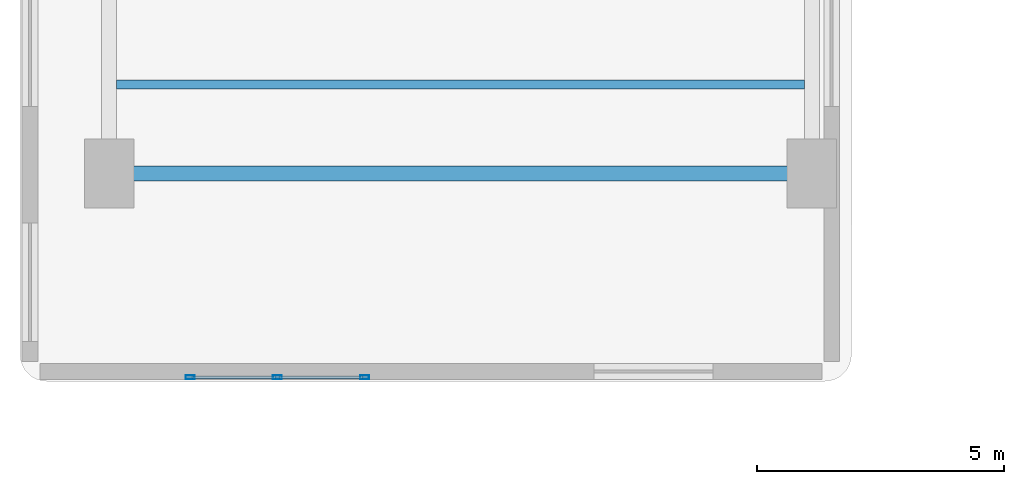
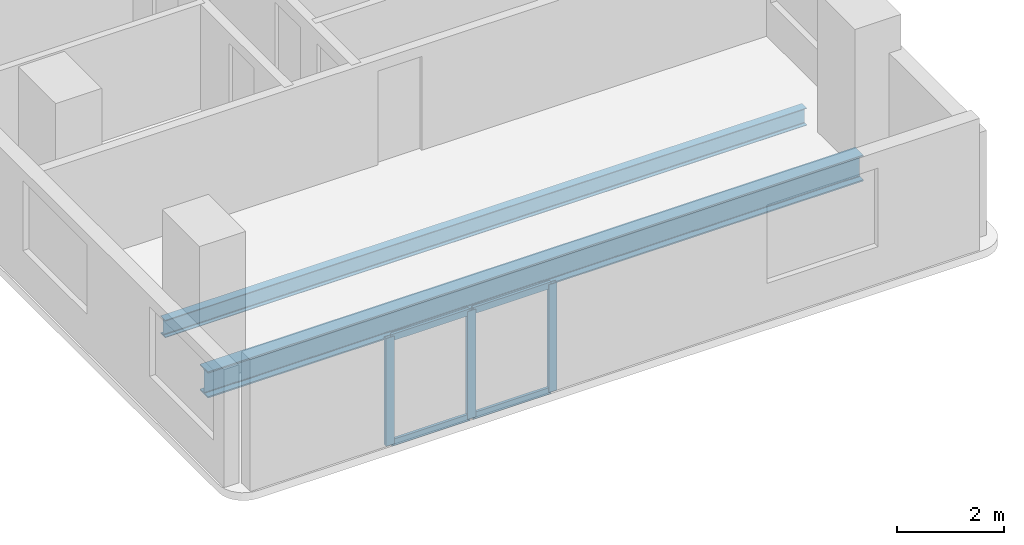
# One storey, part 2 of 14: 7 members, 2 beams, 1 element without a shape of its own.
"""IFC4 building model written with IfcOpenShell, lengths in metres."""

from ifc_helpers import new_model, si_unit, direction, frame, origin, origin_2d, place, context, subcontext, project, spatial, hollow_rectangle, i_section, extrude, material, material_profile, profile_set, type_object, element, aggregate, save


model = new_model("IFC4")

# Units and contexts
model_context = context("Model", 3, precision=1e-05, world=origin(), true_north=direction((0.0, 1.0)))
body_context = subcontext(model_context, "Body", "Model", "MODEL_VIEW")
ifc_project = project(units=[si_unit("LENGTHUNIT", "METRE"), si_unit("AREAUNIT", "SQUARE_METRE"), si_unit("VOLUMEUNIT", "CUBIC_METRE"), si_unit("PLANEANGLEUNIT", "RADIAN"), si_unit("MASSUNIT", "GRAM", prefix="KILO")], contexts=[model_context])

# Site, building, storey
site_placement = place(None, origin())
site = spatial("IfcSite", under=ifc_project, at=site_placement, CompositionType="ELEMENT")
building_placement = place(site_placement, origin())
building = spatial("IfcBuilding", under=site, at=building_placement, Name="Kuzgunbayir Cultural Tower", CompositionType="ELEMENT")
storey_placement = place(building_placement, frame((0.0, 0.0, 62.800048828125)))
storey = spatial("IfcBuildingStorey", under=building, at=storey_placement, Name="L17", CompositionType="ELEMENT", Elevation=62.800048828125)

# Beams
ifc_material_1 = material(Name="Steel S355J2", Category="steel")
ifc_material_profile_1 = material_profile(ifc_material_1, i_section(OverallWidth=0.300048828125, OverallDepth=0.60009765625, WebThickness=0.015380859375, FlangeThickness=0.030029296875, FilletRadius=0.027099609375, at=origin_2d()), Name="HEB 600")
ifc_profile_set_1 = profile_set([ifc_material_profile_1], Name="Steel S355J2")
beam_type_1 = type_object("IfcBeamType", Name="BM-GIR-HEB600", PredefinedType="BEAM", material=ifc_profile_set_1)
beam_1_placement = place(storey_placement, frame((5.39990234375, 12.60009765625, -0.47998046875), z_axis=(1.0, 0.0, 0.0), x_axis=(0.0, 1.0, 0.0)))
element("IfcBeam", 1, at=beam_1_placement, inside=storey, type_object=beam_type_1, Name="L17 Wing A Transverse Girder 1", PredefinedType="BEAM", context=body_context, shape_type="SweptSolid", body=[
    extrude(i_section(OverallWidth=0.300048828125, OverallDepth=0.60009765625, WebThickness=0.015380859375, FlangeThickness=0.030029296875, FilletRadius=0.027099609375, at=origin_2d()), origin(), (0.0, 0.0, 1.0), 14.2001953125),
])
ifc_material_profile_2 = material_profile(ifc_material_1, i_section(OverallWidth=0.179931640625, OverallDepth=0.39990234375, WebThickness=0.008544921875, FlangeThickness=0.013427734375, FilletRadius=0.02099609375, at=origin_2d()), Name="IPE 400")
ifc_profile_set_2 = profile_set([ifc_material_profile_2], Name="Steel S355J2")
beam_type_2 = type_object("IfcBeamType", Name="BM-JST-IPE400", PredefinedType="JOIST", material=ifc_profile_set_2)
beam_2_placement = place(storey_placement, frame((5.550048828125, 14.39990234375, -0.380126953125), z_axis=(1.0, 0.0, 0.0), x_axis=(0.0, 1.0, 0.0)))
element("IfcBeam", 2, at=beam_2_placement, inside=storey, type_object=beam_type_2, Name="L17 Wing A Secondary Joist 1", PredefinedType="JOIST", context=body_context, shape_type="SweptSolid", body=[
    extrude(i_section(OverallWidth=0.179931640625, OverallDepth=0.39990234375, WebThickness=0.008544921875, FlangeThickness=0.013427734375, FilletRadius=0.02099609375, at=origin_2d()), origin(), (0.0, 0.0, 1.0), 13.89990234375),
])

# Curtain wall, members
ifc_material_2 = material(Name="Anodised Aluminium Framing", Category="aluminium")
curtain_wall_type = type_object("IfcCurtainWallType", Name="CW03-T1-OFFICE", PredefinedType="NOTDEFINED", material=ifc_material_2)
curtain_wall_placement = place(storey_placement, origin())
curtain_wall = element("IfcCurtainWall", 3, at=curtain_wall_placement, inside=storey, type_object=curtain_wall_type, Name="L17 Wing A South Feature Curtain Wall", PredefinedType="NOTDEFINED")
ifc_material_profile_3 = material_profile(ifc_material_2, hollow_rectangle(XDim=0.074951171875, YDim=0.179931640625, WallThickness=0.0048828125, at=origin_2d()), Name="RHS 180x75x5")
ifc_profile_set_3 = profile_set([ifc_material_profile_3], Name="Anodised Aluminium Framing")
member_type_1 = type_object("IfcMemberType", Name="MEM-CW-MULLION-180", PredefinedType="MULLION", material=ifc_profile_set_3)
member_1_placement = place(storey_placement, frame((7.03759765625, 8.47998046875, 0.0), z_axis=(0.0, 0.0, 1.0), x_axis=(0.0, 1.0, 0.0)))
member_1 = element("IfcMember", 4, at=member_1_placement, type_object=member_type_1, Name="CW03 mullion 1", PredefinedType="MULLION", context=body_context, shape_type="SweptSolid", body=[
    extrude(hollow_rectangle(XDim=0.074951171875, YDim=0.179931640625, WallThickness=0.0048828125, at=origin_2d()), origin(), (0.0, 0.0, 1.0), 2.469970703125),
])
member_2_placement = place(storey_placement, frame((8.800048828125, 8.47998046875, 0.0), z_axis=(0.0, 0.0, 1.0), x_axis=(0.0, 1.0, 0.0)))
member_2 = element("IfcMember", 5, at=member_2_placement, type_object=member_type_1, Name="CW03 mullion 2", PredefinedType="MULLION", context=body_context, shape_type="SweptSolid", body=[
    extrude(hollow_rectangle(XDim=0.074951171875, YDim=0.179931640625, WallThickness=0.0048828125, at=origin_2d()), origin(), (0.0, 0.0, 1.0), 2.469970703125),
])
member_3_placement = place(storey_placement, frame((10.5625, 8.47998046875, 0.0), z_axis=(0.0, 0.0, 1.0), x_axis=(0.0, 1.0, 0.0)))
member_3 = element("IfcMember", 6, at=member_3_placement, type_object=member_type_1, Name="CW03 mullion 3", PredefinedType="MULLION", context=body_context, shape_type="SweptSolid", body=[
    extrude(hollow_rectangle(XDim=0.074951171875, YDim=0.179931640625, WallThickness=0.0048828125, at=origin_2d()), origin(), (0.0, 0.0, 1.0), 2.469970703125),
])
ifc_material_profile_4 = material_profile(ifc_material_2, hollow_rectangle(XDim=0.06005859375, YDim=0.14990234375, WallThickness=0.00390625, at=origin_2d()), Name="RHS 150x60x4")
ifc_profile_set_4 = profile_set([ifc_material_profile_4], Name="Anodised Aluminium Framing")
member_type_2 = type_object("IfcMemberType", Name="MEM-CW-TRANSOM-150", PredefinedType="USERDEFINED", material=ifc_profile_set_4)
member_4_placement = place(storey_placement, frame((7.074951171875, 8.47998046875, 0.030029296875), z_axis=(1.0, 0.0, 0.0), x_axis=(0.0, 1.0, 0.0)))
member_4 = element("IfcMember", 7, at=member_4_placement, type_object=member_type_2, Name="CW03 transom 1.1", ObjectType="TRANSOM", PredefinedType="USERDEFINED", context=body_context, shape_type="SweptSolid", body=[
    extrude(hollow_rectangle(XDim=0.06005859375, YDim=0.14990234375, WallThickness=0.00390625, at=origin_2d()), origin(), (0.0, 0.0, 1.0), 1.6875),
])
member_5_placement = place(storey_placement, frame((7.074951171875, 8.47998046875, 2.43994140625), z_axis=(1.0, 0.0, 0.0), x_axis=(0.0, 1.0, 0.0)))
member_5 = element("IfcMember", 8, at=member_5_placement, type_object=member_type_2, Name="CW03 transom 1.2", ObjectType="TRANSOM", PredefinedType="USERDEFINED", context=body_context, shape_type="SweptSolid", body=[
    extrude(hollow_rectangle(XDim=0.06005859375, YDim=0.14990234375, WallThickness=0.00390625, at=origin_2d()), origin(), (0.0, 0.0, 1.0), 1.6875),
])
member_6_placement = place(storey_placement, frame((8.83740234375, 8.47998046875, 0.030029296875), z_axis=(1.0, 0.0, 0.0), x_axis=(0.0, 1.0, 0.0)))
member_6 = element("IfcMember", 9, at=member_6_placement, type_object=member_type_2, Name="CW03 transom 2.1", ObjectType="TRANSOM", PredefinedType="USERDEFINED", context=body_context, shape_type="SweptSolid", body=[
    extrude(hollow_rectangle(XDim=0.06005859375, YDim=0.14990234375, WallThickness=0.00390625, at=origin_2d()), origin(), (0.0, 0.0, 1.0), 1.6875),
])
member_7_placement = place(storey_placement, frame((8.83740234375, 8.47998046875, 2.43994140625), z_axis=(1.0, 0.0, 0.0), x_axis=(0.0, 1.0, 0.0)))
member_7 = element("IfcMember", 10, at=member_7_placement, type_object=member_type_2, Name="CW03 transom 2.2", ObjectType="TRANSOM", PredefinedType="USERDEFINED", context=body_context, shape_type="SweptSolid", body=[
    extrude(hollow_rectangle(XDim=0.06005859375, YDim=0.14990234375, WallThickness=0.00390625, at=origin_2d()), origin(), (0.0, 0.0, 1.0), 1.6875),
])
aggregate(curtain_wall, [member_1, member_2, member_3, member_4, member_5, member_6, member_7])

save(model, "model.ifc")
